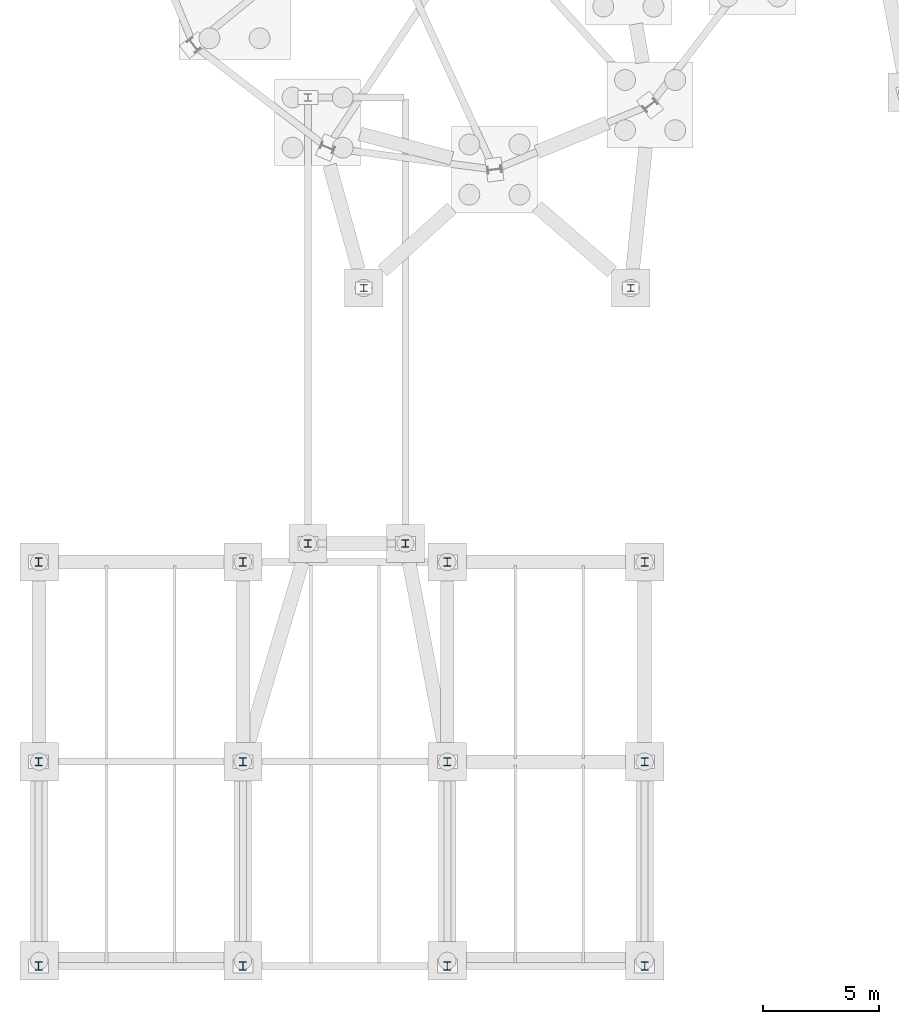
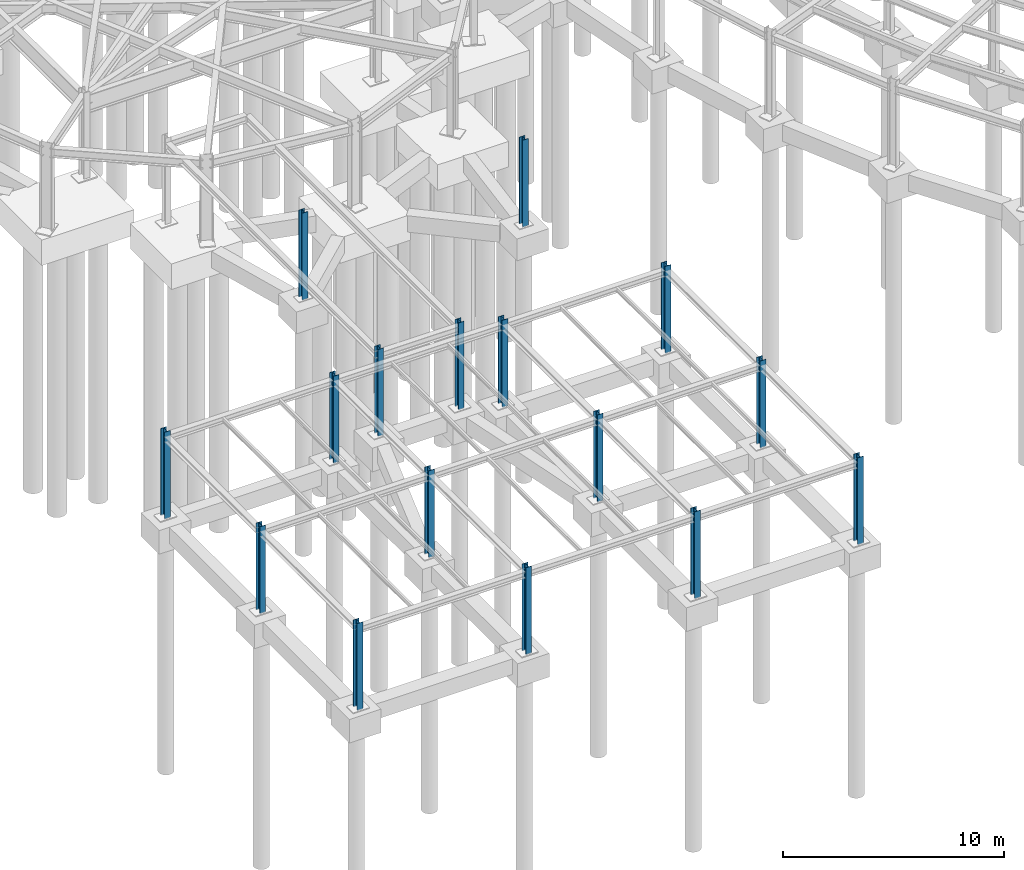
# One storey, part 10 of 50: 16 columns.
"""IFC4 building model written with IfcOpenShell, lengths in metres."""

from ifc_helpers import new_model, si_unit, direction, frame, origin, origin_2d, place, context, subcontext, project, spatial, i_section, extrude, material, material_profile, profile_set, type_object, element, save


model = new_model("IFC4")

# Units and contexts
model_context = context("Model", 3, precision=1e-05, world=origin(), true_north=direction((0.0, 1.0)))
body_context = subcontext(model_context, "Body", "Model", "MODEL_VIEW")
ifc_project = project(units=[si_unit("LENGTHUNIT", "METRE"), si_unit("AREAUNIT", "SQUARE_METRE"), si_unit("VOLUMEUNIT", "CUBIC_METRE"), si_unit("PLANEANGLEUNIT", "RADIAN"), si_unit("MASSUNIT", "GRAM", prefix="KILO")], contexts=[model_context])

# Site, building, storey
site_placement = place(None, origin())
site = spatial("IfcSite", under=ifc_project, at=site_placement, CompositionType="ELEMENT")
building_placement = place(site_placement, origin())
building = spatial("IfcBuilding", under=site, at=building_placement, Name="Varnklinge Art Gallery", CompositionType="ELEMENT")
storey_placement = place(building_placement, frame((0.0, 0.0, -4.800048828125)))
storey = spatial("IfcBuildingStorey", under=building, at=storey_placement, Name="B01", CompositionType="ELEMENT", Elevation=-4.800048828125)

# Columns
ifc_material_1 = material(Name="Steel S355", Category="steel")
ifc_material_profile_1 = material_profile(ifc_material_1, i_section(OverallWidth=0.300048828125, OverallDepth=0.360107421875, WebThickness=0.012451171875, FlangeThickness=0.0224609375, FilletRadius=0.027099609375, at=origin_2d()), Name="HEB 360")
ifc_profile_set_1 = profile_set([ifc_material_profile_1], Name="Steel S355")
column_type_1 = type_object("IfcColumnType", Name="COL-08", PredefinedType="COLUMN", material=ifc_profile_set_1)
for number, where, z_axis, x_axis, name in (
    (1, (4.0, 3.800048828125, 0.0), (0.0, 0.0, 1.0), (1.0, 0.0, 0.0), "B01 Column V6SW-1-1"),
    (2, (4.0, 12.60009765625, 0.0), (0.0, 0.0, 1.0), (1.0, 0.0, 0.0), "B01 Column V6SW-1-2"),
    (3, (4.0, 21.199951171875, 0.0), (0.0, 0.0, 1.0), (1.0, 0.0, 0.0), "B01 Column V6SW-1-3"),
    (4, (12.800048828125, 3.800048828125, 0.0), (0.0, 0.0, 1.0), (1.0, 0.0, 0.0), "B01 Column V6SW-2-1"),
    (5, (12.800048828125, 12.60009765625, 0.0), (0.0, 0.0, 1.0), (1.0, 0.0, 0.0), "B01 Column V6SW-2-2"),
    (6, (12.800048828125, 21.199951171875, 0.0), (0.0, 0.0, 1.0), (1.0, 0.0, 0.0), "B01 Column V6SW-2-3"),
    (7, (21.60009765625, 3.800048828125, 0.0), (0.0, 0.0, 1.0), (1.0, 0.0, 0.0), "B01 Column V6SW-3-1"),
    (8, (21.60009765625, 12.60009765625, 0.0), (0.0, 0.0, 1.0), (1.0, 0.0, 0.0), "B01 Column V6SW-3-2"),
    (9, (21.60009765625, 21.199951171875, 0.0), (0.0, 0.0, 1.0), (1.0, 0.0, 0.0), "B01 Column V6SW-3-3"),
    (10, (30.10009765625, 3.800048828125, 0.0), (0.0, 0.0, 1.0), (1.0, 0.0, 0.0), "B01 Column V6SW-4-1"),
    (11, (30.10009765625, 12.60009765625, 0.0), (0.0, 0.0, 1.0), (1.0, 0.0, 0.0), "B01 Column V6SW-4-2"),
    (12, (30.10009765625, 21.199951171875, 0.0), (0.0, 0.0, 1.0), (1.0, 0.0, 0.0), "B01 Column V6SW-4-3"),
):
    element("IfcColumn", number, at=place(storey_placement, frame(where, z_axis=z_axis, x_axis=x_axis)), inside=storey, type_object=column_type_1, Name=name, PredefinedType="COLUMN", context=body_context, shape_type="SweptSolid", body=[
        extrude(i_section(OverallWidth=0.300048828125, OverallDepth=0.360107421875, WebThickness=0.012451171875, FlangeThickness=0.0224609375, FilletRadius=0.027099609375, at=origin_2d()), origin(), (0.0, 0.0, 1.0), 4.800048828125),
    ])
ifc_material_2 = material(Name="Steel S355", Category="steel")
ifc_material_profile_2 = material_profile(ifc_material_2, i_section(OverallWidth=0.300048828125, OverallDepth=0.320068359375, WebThickness=0.011474609375, FlangeThickness=0.0205078125, FilletRadius=0.027099609375, at=origin_2d()), Name="HEB 320")
ifc_profile_set_2 = profile_set([ifc_material_profile_2], Name="Steel S355")
column_type_2 = type_object("IfcColumnType", Name="COL-09", PredefinedType="COLUMN", material=ifc_profile_set_2)
for number, where, z_axis, x_axis, name in (
    (13, (15.60009765625, 22.0, 0.0), (0.0, 0.0, 1.0), (1.0, 0.0, 0.0), "B01 Column LNK-SW-C1"),
    (14, (19.800048828125, 22.0, 0.0), (0.0, 0.0, 1.0), (1.0, 0.0, 0.0), "B01 Column LNK-SW-C2"),
):
    element("IfcColumn", number, at=place(storey_placement, frame(where, z_axis=z_axis, x_axis=x_axis)), inside=storey, type_object=column_type_2, Name=name, PredefinedType="COLUMN", context=body_context, shape_type="SweptSolid", body=[
        extrude(i_section(OverallWidth=0.300048828125, OverallDepth=0.320068359375, WebThickness=0.011474609375, FlangeThickness=0.0205078125, FilletRadius=0.027099609375, at=origin_2d()), origin(), (0.0, 0.0, 1.0), 4.800048828125),
    ])
ifc_material_3 = material(Name="Steel S355", Category="steel")
ifc_material_profile_3 = material_profile(ifc_material_3, i_section(OverallWidth=0.300048828125, OverallDepth=0.300048828125, WebThickness=0.010986328125, FlangeThickness=0.01904296875, FilletRadius=0.027099609375, at=origin_2d()), Name="HEB 300")
ifc_profile_set_3 = profile_set([ifc_material_profile_3], Name="Steel S355")
column_type_3 = type_object("IfcColumnType", Name="COL-10", PredefinedType="COLUMN", material=ifc_profile_set_3)
for number, where, z_axis, x_axis, name in (
    (15, (18.0, 33.0, 0.0), (0.0, 0.0, 1.0), (1.0, 0.0, 0.0), "B01 Column APRX-C1"),
    (16, (29.5, 33.0, 0.0), (0.0, 0.0, 1.0), (1.0, 0.0, 0.0), "B01 Column APRX-C2"),
):
    element("IfcColumn", number, at=place(storey_placement, frame(where, z_axis=z_axis, x_axis=x_axis)), inside=storey, type_object=column_type_3, Name=name, PredefinedType="COLUMN", context=body_context, shape_type="SweptSolid", body=[
        extrude(i_section(OverallWidth=0.300048828125, OverallDepth=0.300048828125, WebThickness=0.010986328125, FlangeThickness=0.01904296875, FilletRadius=0.027099609375, at=origin_2d()), origin(), (0.0, 0.0, 1.0), 4.800048828125),
    ])

save(model, "model.ifc")
